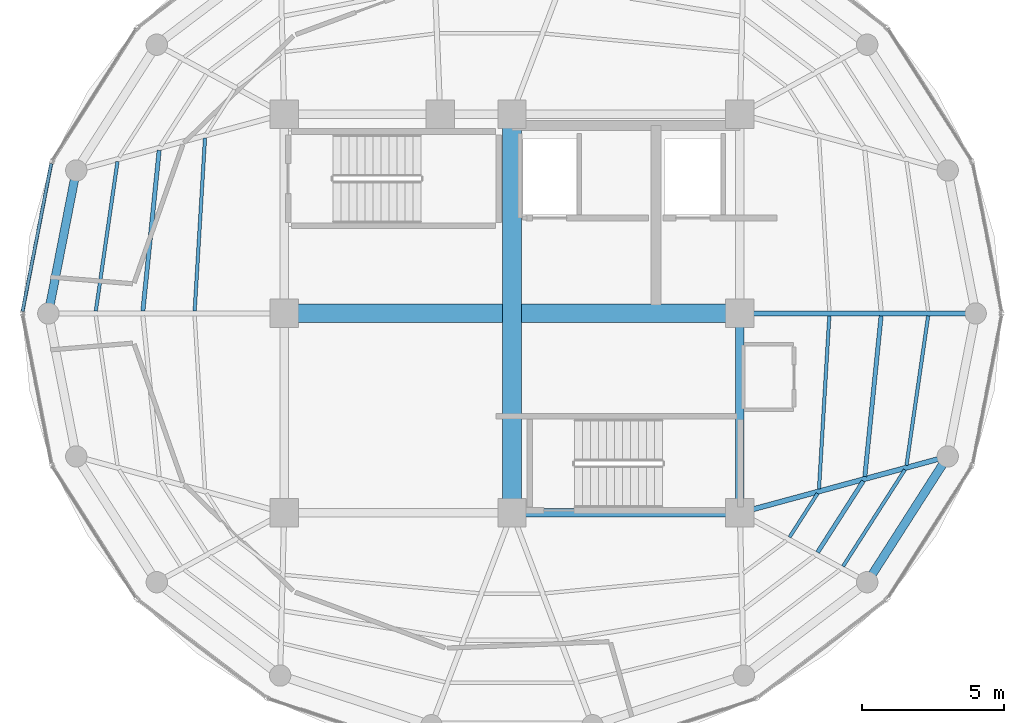
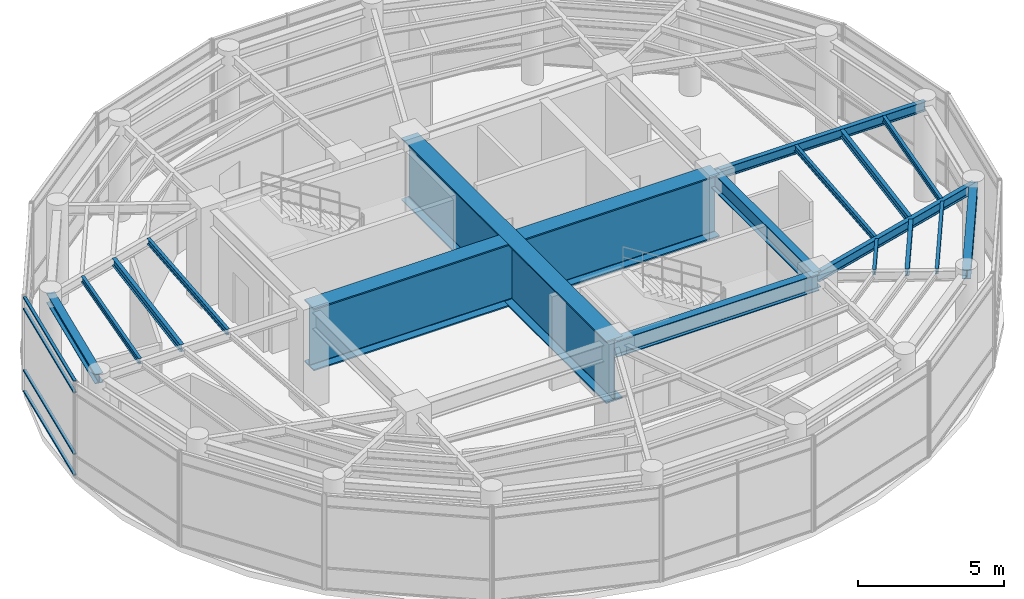
# One storey, part 8 of 19: 17 beams, 4 members, 1 element without a shape of its own.
"""IFC4 building model written with IfcOpenShell, lengths in metres."""

from ifc_helpers import new_model, si_unit, direction, frame, origin, origin_2d, place, context, subcontext, project, spatial, hollow_rectangle, i_section, extrude, material, layer, layer_set, material_profile, profile_set, type_object, element, aggregate, save


model = new_model("IFC4")

# Units and contexts
model_context = context("Model", 3, precision=1e-05, world=origin(), true_north=direction((0.0, 1.0)))
body_context = subcontext(model_context, "Body", "Model", "MODEL_VIEW")
ifc_project = project(units=[si_unit("LENGTHUNIT", "METRE"), si_unit("AREAUNIT", "SQUARE_METRE"), si_unit("VOLUMEUNIT", "CUBIC_METRE"), si_unit("PLANEANGLEUNIT", "RADIAN"), si_unit("MASSUNIT", "GRAM", prefix="KILO")], contexts=[model_context])

# Site, building, storey
site_placement = place(None, origin())
site = spatial("IfcSite", under=ifc_project, at=site_placement, CompositionType="ELEMENT")
building_placement = place(site_placement, origin())
building = spatial("IfcBuilding", under=site, at=building_placement, Name="Kelanora Arch Commons", CompositionType="ELEMENT")
storey_placement = place(building_placement, frame((0.0, 0.0, 306.89990234375)))
storey = spatial("IfcBuildingStorey", under=building, at=storey_placement, Name="L78", CompositionType="ELEMENT", Elevation=306.89990234375)

# Beams
ifc_material_1 = material(Name="Steel S355", Category="steel")
ifc_material_profile_1 = material_profile(ifc_material_1, i_section(OverallWidth=0.300048828125, OverallDepth=0.699951171875, WebThickness=0.01708984375, FlangeThickness=0.031982421875, FilletRadius=0.027099609375, at=origin_2d()), Name="HEB700")
ifc_profile_set_1 = profile_set([ifc_material_profile_1], Name="Steel S355")
beam_type_1 = type_object("IfcBeamType", Name="BM-CORE-HDR", PredefinedType="BEAM", material=ifc_profile_set_1)
beam_1_placement = place(storey_placement, frame((74.0, 51.0, 3.630126953125), z_axis=(1.0, 0.0, 0.0), x_axis=(0.0, 1.0, 0.0)))
element("IfcBeam", 1, at=beam_1_placement, inside=storey, type_object=beam_type_1, Name="Core Header Beam 02 L78", PredefinedType="BEAM", context=body_context, shape_type="SweptSolid", body=[
    extrude(i_section(OverallWidth=0.300048828125, OverallDepth=0.699951171875, WebThickness=0.01708984375, FlangeThickness=0.031982421875, FilletRadius=0.027099609375, at=origin_2d()), origin(), (0.0, 0.0, 1.0), 8.0),
])
beam_2_placement = place(storey_placement, frame((82.0, 51.0, 3.630126953125), z_axis=(0.0, 1.0, 0.0), x_axis=(-1.0, 0.0, 0.0)))
element("IfcBeam", 2, at=beam_2_placement, inside=storey, type_object=beam_type_1, Name="Core Header Beam 03 L78", PredefinedType="BEAM", context=body_context, shape_type="SweptSolid", body=[
    extrude(i_section(OverallWidth=0.300048828125, OverallDepth=0.699951171875, WebThickness=0.01708984375, FlangeThickness=0.031982421875, FilletRadius=0.027099609375, at=origin_2d()), origin(), (0.0, 0.0, 1.0), 7.0),
])
ifc_material_profile_2 = material_profile(ifc_material_1, i_section(OverallWidth=0.14990234375, OverallDepth=0.300048828125, WebThickness=0.007080078125, FlangeThickness=0.0107421875, FilletRadius=0.014892578125, at=origin_2d()), Name="IPE300")
ifc_profile_set_2 = profile_set([ifc_material_profile_2], Name="Steel S355")
beam_type_2 = type_object("IfcBeamType", Name="BM-JST-01", PredefinedType="JOIST", material=ifc_profile_set_2)
beam_3_placement = place(storey_placement, frame((61.612548828125, 63.72802734375, 3.830078125), z_axis=(-0.100846008885, -0.994902046682, 0.0), x_axis=(0.994902046682, -0.100846008885, 0.0)))
element("IfcBeam", 3, at=beam_3_placement, inside=storey, type_object=beam_type_2, Name="Secondary Chord Joist BJB-16 L78", PredefinedType="JOIST", context=body_context, shape_type="SweptSolid", body=[
    extrude(i_section(OverallWidth=0.14990234375, OverallDepth=0.300048828125, WebThickness=0.007080078125, FlangeThickness=0.0107421875, FilletRadius=0.014892578125, at=origin_2d()), origin(), (0.0, 0.0, 1.0), 5.672119140625),
])
beam_4_placement = place(storey_placement, frame((84.728515625, 49.60986328125, 3.830078125), z_axis=(0.539193378054, 0.84218198809, 0.0), x_axis=(-0.84218198809, 0.539193378054, 0.0)))
element("IfcBeam", 4, at=beam_4_placement, inside=storey, type_object=beam_type_2, Name="Secondary Chord Joist BJB-32 L78", PredefinedType="JOIST", context=body_context, shape_type="SweptSolid", body=[
    extrude(i_section(OverallWidth=0.14990234375, OverallDepth=0.300048828125, WebThickness=0.007080078125, FlangeThickness=0.0107421875, FilletRadius=0.014892578125, at=origin_2d()), origin(), (0.0, 0.0, 1.0), 2.975830078125),
])
beam_5_placement = place(storey_placement, frame((86.387451171875, 52.27197265625, 3.830078125), z_axis=(0.100846008885, 0.994902046682, 0.0), x_axis=(-0.994902046682, 0.100846008885, 0.0)))
element("IfcBeam", 5, at=beam_5_placement, inside=storey, type_object=beam_type_2, Name="Secondary Chord Joist BJB-34 L78", PredefinedType="JOIST", context=body_context, shape_type="SweptSolid", body=[
    extrude(i_section(OverallWidth=0.14990234375, OverallDepth=0.300048828125, WebThickness=0.007080078125, FlangeThickness=0.0107421875, FilletRadius=0.014892578125, at=origin_2d()), origin(), (0.0, 0.0, 1.0), 5.672119140625),
])
ifc_material_profile_3 = material_profile(ifc_material_1, i_section(OverallWidth=0.1201171875, OverallDepth=0.239990234375, WebThickness=0.006103515625, FlangeThickness=0.009765625, FilletRadius=0.014892578125, at=origin_2d()), Name="IPE240")
ifc_profile_set_3 = profile_set([ifc_material_profile_3], Name="Steel S355")
beam_type_3 = type_object("IfcBeamType", Name="BM-JST-02", PredefinedType="JOIST", material=ifc_profile_set_3)
beam_6_placement = place(storey_placement, frame((63.2216796875, 64.1630859375, 3.860107421875), z_axis=(-0.059619828045, -0.998221155909, 0.0), x_axis=(0.998221155909, -0.059619828045, 0.0)))
element("IfcBeam", 6, at=beam_6_placement, inside=storey, type_object=beam_type_3, Name="Secondary Chord Joist BJA-16 L78", PredefinedType="JOIST", context=body_context, shape_type="SweptSolid", body=[
    extrude(i_section(OverallWidth=0.1201171875, OverallDepth=0.239990234375, WebThickness=0.006103515625, FlangeThickness=0.009765625, FilletRadius=0.014892578125, at=origin_2d()), origin(), (0.0, 0.0, 1.0), 6.089111328125),
])
beam_7_placement = place(storey_placement, frame((60.149169921875, 63.33251953125, 3.860107421875), z_axis=(-0.143489842264, -0.989651789857, 0.0), x_axis=(0.989651789857, -0.143489842264, 0.0)))
element("IfcBeam", 7, at=beam_7_placement, inside=storey, type_object=beam_type_3, Name="Secondary Chord Joist BJC-16 L78", PredefinedType="JOIST", context=body_context, shape_type="SweptSolid", body=[
    extrude(i_section(OverallWidth=0.1201171875, OverallDepth=0.239990234375, WebThickness=0.006103515625, FlangeThickness=0.009765625, FilletRadius=0.014892578125, at=origin_2d()), origin(), (0.0, 0.0, 1.0), 5.303466796875),
])
beam_8_placement = place(storey_placement, frame((83.744873046875, 50.14599609375, 3.860107421875), z_axis=(0.539300812993, 0.842113194947, 0.0), x_axis=(-0.842113194947, 0.539300812993, 0.0)))
element("IfcBeam", 8, at=beam_8_placement, inside=storey, type_object=beam_type_3, Name="Secondary Chord Joist BJA-32 L78", PredefinedType="JOIST", context=body_context, shape_type="SweptSolid", body=[
    extrude(i_section(OverallWidth=0.1201171875, OverallDepth=0.239990234375, WebThickness=0.006103515625, FlangeThickness=0.009765625, FilletRadius=0.014892578125, at=origin_2d()), origin(), (0.0, 0.0, 1.0), 1.822021484375),
])
beam_9_placement = place(storey_placement, frame((85.622802734375, 49.122802734375, 3.860107421875), z_axis=(0.539232732312, 0.842156790867, 0.0), x_axis=(-0.842156790867, 0.539232732312, 0.0)))
element("IfcBeam", 9, at=beam_9_placement, inside=storey, type_object=beam_type_3, Name="Secondary Chord Joist BJC-32 L78", PredefinedType="JOIST", context=body_context, shape_type="SweptSolid", body=[
    extrude(i_section(OverallWidth=0.1201171875, OverallDepth=0.239990234375, WebThickness=0.006103515625, FlangeThickness=0.009765625, FilletRadius=0.014892578125, at=origin_2d()), origin(), (0.0, 0.0, 1.0), 4.024169921875),
])
beam_10_placement = place(storey_placement, frame((84.7783203125, 51.8369140625, 3.860107421875), z_axis=(0.059619828045, 0.998221155909, 0.0), x_axis=(-0.998221155909, 0.059619828045, 0.0)))
element("IfcBeam", 10, at=beam_10_placement, inside=storey, type_object=beam_type_3, Name="Secondary Chord Joist BJA-34 L78", PredefinedType="JOIST", context=body_context, shape_type="SweptSolid", body=[
    extrude(i_section(OverallWidth=0.1201171875, OverallDepth=0.239990234375, WebThickness=0.006103515625, FlangeThickness=0.009765625, FilletRadius=0.014892578125, at=origin_2d()), origin(), (0.0, 0.0, 1.0), 6.089111328125),
])
beam_11_placement = place(storey_placement, frame((87.850830078125, 52.66748046875, 3.860107421875), z_axis=(0.143489842264, 0.989651789857, 0.0), x_axis=(-0.989651789857, 0.143489842264, 0.0)))
element("IfcBeam", 11, at=beam_11_placement, inside=storey, type_object=beam_type_3, Name="Secondary Chord Joist BJC-34 L78", PredefinedType="JOIST", context=body_context, shape_type="SweptSolid", body=[
    extrude(i_section(OverallWidth=0.1201171875, OverallDepth=0.239990234375, WebThickness=0.006103515625, FlangeThickness=0.009765625, FilletRadius=0.014892578125, at=origin_2d()), origin(), (0.0, 0.0, 1.0), 5.303466796875),
])
ifc_material_profile_4 = material_profile(ifc_material_1, i_section(OverallWidth=0.179931640625, OverallDepth=0.39990234375, WebThickness=0.008544921875, FlangeThickness=0.013427734375, FilletRadius=0.02099609375, at=origin_2d()), Name="IPE400")
ifc_profile_set_4 = profile_set([ifc_material_profile_4], Name="Steel S355")
beam_type_4 = type_object("IfcBeamType", Name="BM-RAD-Z5", PredefinedType="BEAM", material=ifc_profile_set_4)
beam_12_placement = place(storey_placement, frame((82.0, 58.0, 3.780029296875), z_axis=(1.0, 0.0, 0.0), x_axis=(0.0, 1.0, 0.0)))
element("IfcBeam", 12, at=beam_12_placement, inside=storey, type_object=beam_type_4, Name="Radial Floor Girder BR-00 L78", PredefinedType="BEAM", context=body_context, shape_type="SweptSolid", body=[
    extrude(i_section(OverallWidth=0.179931640625, OverallDepth=0.39990234375, WebThickness=0.008544921875, FlangeThickness=0.013427734375, FilletRadius=0.02099609375, at=origin_2d()), origin(), (0.0, 0.0, 1.0), 8.280029296875),
])
beam_13_placement = place(storey_placement, frame((82.0, 51.0, 3.780029296875), z_axis=(0.965145027625, 0.26171563891, 0.0), x_axis=(-0.26171563891, 0.965145027625, 0.0)))
element("IfcBeam", 13, at=beam_13_placement, inside=storey, type_object=beam_type_4, Name="Radial Floor Girder BR-34 L78", PredefinedType="BEAM", context=body_context, shape_type="SweptSolid", body=[
    extrude(i_section(OverallWidth=0.179931640625, OverallDepth=0.39990234375, WebThickness=0.008544921875, FlangeThickness=0.013427734375, FilletRadius=0.02099609375, at=origin_2d()), origin(), (0.0, 0.0, 1.0), 7.561767578125),
])
ifc_material_profile_5 = material_profile(ifc_material_1, i_section(OverallWidth=0.300048828125, OverallDepth=0.39990234375, WebThickness=0.013427734375, FlangeThickness=0.02392578125, FilletRadius=0.027099609375, at=origin_2d()), Name="HEB400")
ifc_profile_set_5 = profile_set([ifc_material_profile_5], Name="Steel S355")
beam_type_5 = type_object("IfcBeamType", Name="BM-SPN-Z4", PredefinedType="SPANDREL", material=ifc_profile_set_5)
beam_14_placement = place(storey_placement, frame((58.701904296875, 63.02099609375, 3.780029296875), z_axis=(-0.191929675955, -0.981408681176, 0.0), x_axis=(0.981408681176, -0.191929675955, 0.0)))
element("IfcBeam", 14, at=beam_14_placement, inside=storey, type_object=beam_type_5, Name="Perimeter Spandrel Beam BS-16 L78", PredefinedType="SPANDREL", context=body_context, shape_type="SweptSolid", body=[
    extrude(i_section(OverallWidth=0.300048828125, OverallDepth=0.39990234375, WebThickness=0.013427734375, FlangeThickness=0.02392578125, FilletRadius=0.027099609375, at=origin_2d()), origin(), (0.0, 0.0, 1.0), 5.1162109375),
])
beam_15_placement = place(storey_placement, frame((86.47119140625, 48.56396484375, 3.780029296875), z_axis=(0.53922680048, 0.842160588987, 0.0), x_axis=(-0.842160588987, 0.53922680048, 0.0)))
element("IfcBeam", 15, at=beam_15_placement, inside=storey, type_object=beam_type_5, Name="Perimeter Spandrel Beam BS-32 L78", PredefinedType="SPANDREL", context=body_context, shape_type="SweptSolid", body=[
    extrude(i_section(OverallWidth=0.300048828125, OverallDepth=0.39990234375, WebThickness=0.013427734375, FlangeThickness=0.02392578125, FilletRadius=0.027099609375, at=origin_2d()), origin(), (0.0, 0.0, 1.0), 5.242431640625),
])
ifc_material_profile_6 = material_profile(ifc_material_1, i_section(OverallWidth=0.64990234375, OverallDepth=2.60009765625, WebThickness=0.034912109375, FlangeThickness=0.054931640625, FilletRadius=0.028076171875, at=origin_2d()), Name="PG2600x650")
ifc_profile_set_6 = profile_set([ifc_material_profile_6], Name="Steel S355")
beam_type_6 = type_object("IfcBeamType", Name="BM-XFER-ARCH", PredefinedType="USERDEFINED", material=ifc_profile_set_6)
beam_16_placement = place(storey_placement, frame((66.0, 58.0, 2.68017578125), z_axis=(1.0, 0.0, 0.0), x_axis=(0.0, 1.0, 0.0)))
element("IfcBeam", 16, at=beam_16_placement, inside=storey, type_object=beam_type_6, Name="Mast Transfer Grillage East-West", ObjectType="TRANSFER_GIRDER", PredefinedType="USERDEFINED", context=body_context, shape_type="SweptSolid", body=[
    extrude(i_section(OverallWidth=0.64990234375, OverallDepth=2.60009765625, WebThickness=0.034912109375, FlangeThickness=0.054931640625, FilletRadius=0.028076171875, at=origin_2d()), origin(), (0.0, 0.0, 1.0), 16.0),
])
beam_17_placement = place(storey_placement, frame((74.0, 51.0, 2.68017578125), z_axis=(0.0, 1.0, 0.0), x_axis=(-1.0, 0.0, 0.0)))
element("IfcBeam", 17, at=beam_17_placement, inside=storey, type_object=beam_type_6, Name="Mast Transfer Grillage North-South", ObjectType="TRANSFER_GIRDER", PredefinedType="USERDEFINED", context=body_context, shape_type="SweptSolid", body=[
    extrude(i_section(OverallWidth=0.64990234375, OverallDepth=2.60009765625, WebThickness=0.034912109375, FlangeThickness=0.054931640625, FilletRadius=0.028076171875, at=origin_2d()), origin(), (0.0, 0.0, 1.0), 14.0),
])

# Curtain wall, members
ifc_material_2 = material(Name="Terracotta ceramic-fritted low-E glass and aluminium", Category="masonry")
ifc_layer = layer(ifc_material_2, 0.14990234375)
ifc_layer_set = layer_set([ifc_layer], Name="Terracotta ceramic-fritted low-E glass and aluminium")
curtain_wall_type = type_object("IfcCurtainWallType", Name="CW-SYS-06", PredefinedType="NOTDEFINED", material=ifc_layer_set)
curtain_wall_placement = place(storey_placement, origin())
curtain_wall = element("IfcCurtainWall", 18, at=curtain_wall_placement, inside=storey, type_object=curtain_wall_type, Name="Unitised Curtain Wall L78-B08", PredefinedType="NOTDEFINED")
ifc_material_3 = material(Name="Powder-coated aluminium terracotta", Category="masonry")
ifc_material_profile_7 = material_profile(ifc_material_3, hollow_rectangle(XDim=0.1201171875, YDim=0.06005859375, WallThickness=0.0048828125, InnerFilletRadius=0.0048828125, OuterFilletRadius=0.010009765625, at=origin_2d()), Name="CWT120x60")
ifc_profile_set_7 = profile_set([ifc_material_profile_7], Name="Powder-coated aluminium terracotta")
member_type = type_object("IfcMemberType", Name="CWT-STD", PredefinedType="USERDEFINED", material=ifc_profile_set_7)
member_1_placement = place(storey_placement, frame((57.822998046875, 63.261962890625, 0.030029296875), z_axis=(-0.190810315943, -0.981626926755, 0.0), x_axis=(0.981626926755, -0.190810315943, 0.0)))
member_1 = element("IfcMember", 19, at=member_1_placement, type_object=member_type, Name="CW-06 transom 1.1", ObjectType="TRANSOM", PredefinedType="USERDEFINED", context=body_context, shape_type="SweptSolid", body=[
    extrude(hollow_rectangle(XDim=0.1201171875, YDim=0.06005859375, WallThickness=0.0048828125, InnerFilletRadius=0.0048828125, OuterFilletRadius=0.010009765625, at=origin_2d()), origin(), (0.0, 0.0, 1.0), 5.28564453125),
])
member_2_placement = place(storey_placement, frame((57.822998046875, 63.261962890625, 0.900146484375), z_axis=(-0.190810315943, -0.981626926755, 0.0), x_axis=(0.981626926755, -0.190810315943, 0.0)))
member_2 = element("IfcMember", 20, at=member_2_placement, type_object=member_type, Name="CW-06 transom 1.2", ObjectType="TRANSOM", PredefinedType="USERDEFINED", context=body_context, shape_type="SweptSolid", body=[
    extrude(hollow_rectangle(XDim=0.1201171875, YDim=0.06005859375, WallThickness=0.0048828125, InnerFilletRadius=0.0048828125, OuterFilletRadius=0.010009765625, at=origin_2d()), origin(), (0.0, 0.0, 1.0), 5.28564453125),
])
member_3_placement = place(storey_placement, frame((57.822998046875, 63.261962890625, 3.465087890625), z_axis=(-0.190810315943, -0.981626926755, 0.0), x_axis=(0.981626926755, -0.190810315943, 0.0)))
member_3 = element("IfcMember", 21, at=member_3_placement, type_object=member_type, Name="CW-06 transom 1.3", ObjectType="TRANSOM", PredefinedType="USERDEFINED", context=body_context, shape_type="SweptSolid", body=[
    extrude(hollow_rectangle(XDim=0.1201171875, YDim=0.06005859375, WallThickness=0.0048828125, InnerFilletRadius=0.0048828125, OuterFilletRadius=0.010009765625, at=origin_2d()), origin(), (0.0, 0.0, 1.0), 5.28564453125),
])
member_4_placement = place(storey_placement, frame((57.822998046875, 63.261962890625, 3.93505859375), z_axis=(-0.190810315943, -0.981626926755, 0.0), x_axis=(0.981626926755, -0.190810315943, 0.0)))
member_4 = element("IfcMember", 22, at=member_4_placement, type_object=member_type, Name="CW-06 transom 1.4", ObjectType="TRANSOM", PredefinedType="USERDEFINED", context=body_context, shape_type="SweptSolid", body=[
    extrude(hollow_rectangle(XDim=0.1201171875, YDim=0.06005859375, WallThickness=0.0048828125, InnerFilletRadius=0.0048828125, OuterFilletRadius=0.010009765625, at=origin_2d()), origin(), (0.0, 0.0, 1.0), 5.28564453125),
])
aggregate(curtain_wall, [member_1, member_2, member_3, member_4])

save(model, "model.ifc")
